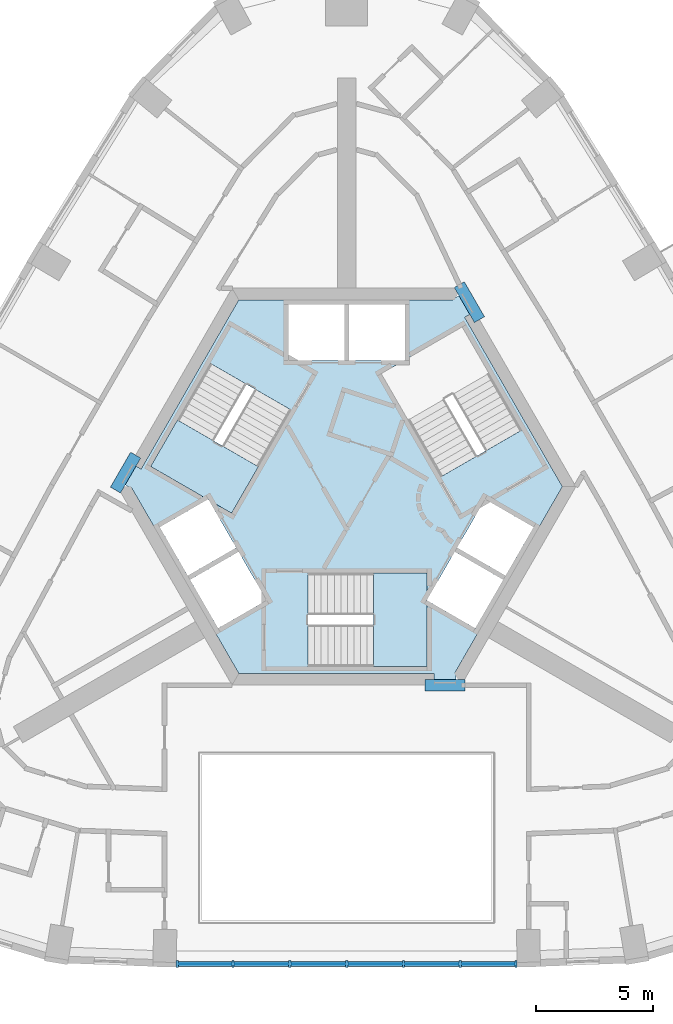
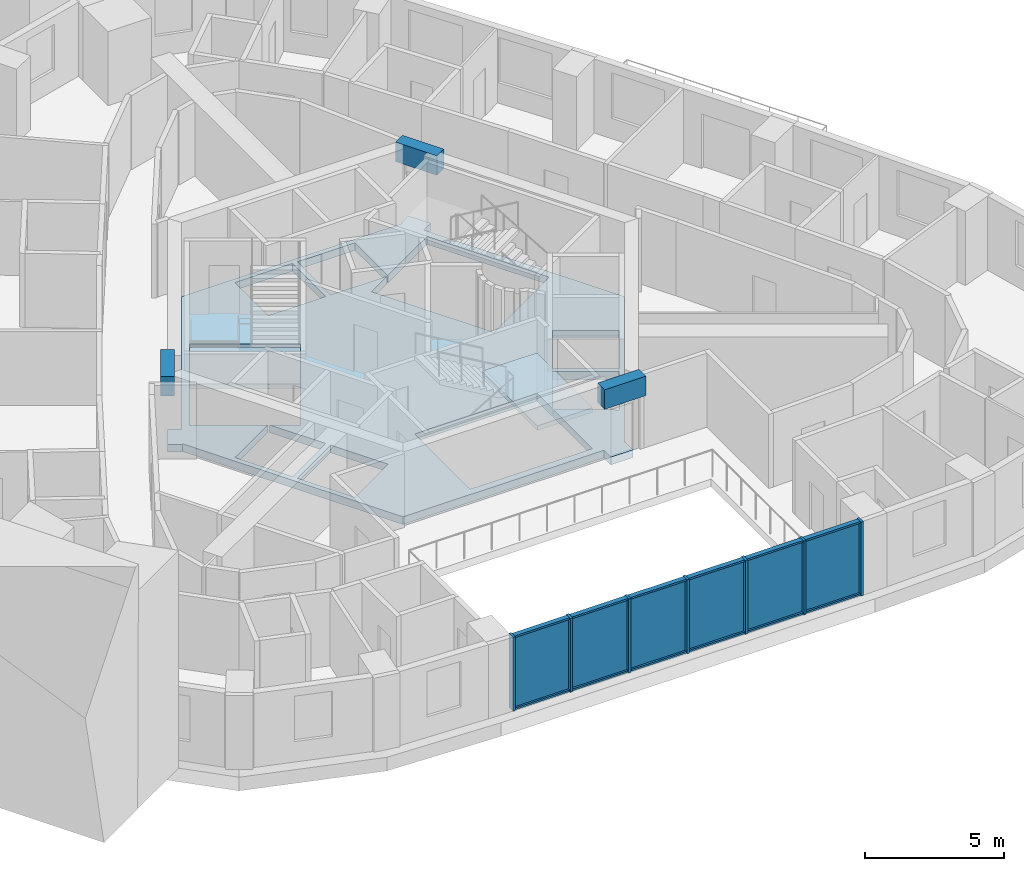
# One storey, part 2 of 11: 19 members, 6 plates, 3 beams, 3 slabs, 3 elements without a shape of their own.
"""IFC4 building model written with IfcOpenShell, lengths in metres."""

from ifc_helpers import new_model, si_unit, direction, frame, origin, origin_2d, place, context, subcontext, project, spatial, polyline, rectangle, outline, extrude, material, layer, layer_set, material_profile, profile_set, type_object, element, aggregate, save


model = new_model("IFC4")

# Units and contexts
model_context = context("Model", 3, precision=1e-05, world=origin(), true_north=direction((0.0, 1.0)))
body_context = subcontext(model_context, "Body", "Model", "MODEL_VIEW")
ifc_project = project(units=[si_unit("LENGTHUNIT", "METRE"), si_unit("AREAUNIT", "SQUARE_METRE"), si_unit("VOLUMEUNIT", "CUBIC_METRE"), si_unit("PLANEANGLEUNIT", "RADIAN"), si_unit("MASSUNIT", "GRAM", prefix="KILO")], contexts=[model_context])

# Site, building, storey
site_placement = place(None, origin())
site = spatial("IfcSite", under=ifc_project, at=site_placement, CompositionType="ELEMENT")
building_placement = place(site_placement, origin())
building = spatial("IfcBuilding", under=site, at=building_placement, Name="Entoto Arch Interchange Tower", CompositionType="ELEMENT")
storey_placement = place(building_placement, frame((0.0, 0.0, 297.199951171875)))
storey = spatial("IfcBuildingStorey", under=building, at=storey_placement, Name="L69", CompositionType="ELEMENT", Elevation=297.199951171875)

# Beams
ifc_material_1 = material(Name="Concrete C40/50", Category="concrete")
ifc_material_profile_1 = material_profile(ifc_material_1, rectangle(XDim=0.5, YDim=0.860107421875, at=origin_2d()))
ifc_profile_set_1 = profile_set([ifc_material_profile_1], Name="Concrete C40/50")
beam_type = type_object("IfcBeamType", Name="Coupling beam RC 500x860 C40/50", PredefinedType="BEAM", material=ifc_profile_set_1)
for number, where, z_axis, x_axis, name in (
    (1, (5.68603515625, 9.65087890625, 2.830078125), (-0.500105721196, 0.865964357019, 0.0), (-0.865964357019, -0.500105721196, 0.0), "Coupling beam NE L69"),
    (2, (-9.035888671875, 3.84912109375, 2.830078125), (-0.500105721196, -0.865964357019, 0.0), (0.865964357019, -0.500105721196, 0.0), "Coupling beam NW L69"),
):
    element("IfcBeam", number, at=place(storey_placement, frame(where, z_axis=z_axis, x_axis=x_axis)), inside=storey, type_object=beam_type, Name=name, PredefinedType="BEAM", context=body_context, shape_type="SweptSolid", body=[
        extrude(rectangle(XDim=0.5, YDim=0.860107421875, at=origin_2d()), origin(), (0.0, 0.0, 1.0), 1.727783203125),
    ])
beam_placement = place(storey_placement, frame((3.35009765625, -6.0, 2.830078125), z_axis=(1.0, 0.0, 0.0), x_axis=(0.0, 1.0, 0.0)))
element("IfcBeam", 3, at=beam_placement, inside=storey, type_object=beam_type, Name="Coupling beam S L69", PredefinedType="BEAM", context=body_context, shape_type="SweptSolid", body=[
    extrude(rectangle(XDim=0.5, YDim=0.860107421875, at=origin_2d()), origin(), (0.0, 0.0, 1.0), 1.725830078125),
])

# Curtain wall, members
ifc_material_2 = material(Name="Aluminium, anodised", Category="aluminium")
curtain_wall_type = type_object("IfcCurtainWallType", Name="CURTAIN WALL ATRIUM", PredefinedType="NOTDEFINED", material=ifc_material_2)
curtain_wall_placement = place(storey_placement, origin())
curtain_wall = element("IfcCurtainWall", 4, at=curtain_wall_placement, inside=storey, type_object=curtain_wall_type, Name="Atrium glazing S-02 L69", PredefinedType="NOTDEFINED")
ifc_material_profile_2 = material_profile(ifc_material_2, rectangle(XDim=0.300048828125, YDim=0.10009765625, at=origin_2d()))
ifc_profile_set_2 = profile_set([ifc_material_profile_2], Name="Aluminium, anodised")
member_type_1 = type_object("IfcMemberType", Name="MULLION ATRIUM 100x300", PredefinedType="MULLION", material=ifc_profile_set_2)
member_1_placement = place(storey_placement, frame((-7.248046875, -17.93896484375, 0.0), z_axis=(0.0, 0.0, 1.0), x_axis=(0.0, 1.0, 0.0)))
member_1 = element("IfcMember", 5, at=member_1_placement, type_object=member_type_1, Name="CWA mullion 1", PredefinedType="MULLION", context=body_context, shape_type="SweptSolid", body=[
    extrude(rectangle(XDim=0.300048828125, YDim=0.10009765625, at=origin_2d()), origin(), (0.0, 0.0, 1.0), 3.260009765625),
])
member_2_placement = place(storey_placement, frame((-4.865234375, -17.93896484375, 0.0), z_axis=(0.0, 0.0, 1.0), x_axis=(0.0, 1.0, 0.0)))
member_2 = element("IfcMember", 6, at=member_2_placement, type_object=member_type_1, Name="CWA mullion 2", PredefinedType="MULLION", context=body_context, shape_type="SweptSolid", body=[
    extrude(rectangle(XDim=0.300048828125, YDim=0.10009765625, at=origin_2d()), origin(), (0.0, 0.0, 1.0), 3.260009765625),
])
member_3_placement = place(storey_placement, frame((-2.4326171875, -17.93896484375, 0.0), z_axis=(0.0, 0.0, 1.0), x_axis=(0.0, 1.0, 0.0)))
member_3 = element("IfcMember", 7, at=member_3_placement, type_object=member_type_1, Name="CWA mullion 3", PredefinedType="MULLION", context=body_context, shape_type="SweptSolid", body=[
    extrude(rectangle(XDim=0.300048828125, YDim=0.10009765625, at=origin_2d()), origin(), (0.0, 0.0, 1.0), 3.260009765625),
])
member_4_placement = place(storey_placement, frame((0.0, -17.93896484375, 0.0), z_axis=(0.0, 0.0, 1.0), x_axis=(0.0, 1.0, 0.0)))
member_4 = element("IfcMember", 8, at=member_4_placement, type_object=member_type_1, Name="CWA mullion 4", PredefinedType="MULLION", context=body_context, shape_type="SweptSolid", body=[
    extrude(rectangle(XDim=0.300048828125, YDim=0.10009765625, at=origin_2d()), origin(), (0.0, 0.0, 1.0), 3.260009765625),
])
member_5_placement = place(storey_placement, frame((2.4326171875, -17.93896484375, 0.0), z_axis=(0.0, 0.0, 1.0), x_axis=(0.0, 1.0, 0.0)))
member_5 = element("IfcMember", 9, at=member_5_placement, type_object=member_type_1, Name="CWA mullion 5", PredefinedType="MULLION", context=body_context, shape_type="SweptSolid", body=[
    extrude(rectangle(XDim=0.300048828125, YDim=0.10009765625, at=origin_2d()), origin(), (0.0, 0.0, 1.0), 3.260009765625),
])
member_6_placement = place(storey_placement, frame((4.865234375, -17.93896484375, 0.0), z_axis=(0.0, 0.0, 1.0), x_axis=(0.0, 1.0, 0.0)))
member_6 = element("IfcMember", 10, at=member_6_placement, type_object=member_type_1, Name="CWA mullion 6", PredefinedType="MULLION", context=body_context, shape_type="SweptSolid", body=[
    extrude(rectangle(XDim=0.300048828125, YDim=0.10009765625, at=origin_2d()), origin(), (0.0, 0.0, 1.0), 3.260009765625),
])
member_7_placement = place(storey_placement, frame((7.248046875, -17.93896484375, 0.0), z_axis=(0.0, 0.0, 1.0), x_axis=(0.0, 1.0, 0.0)))
member_7 = element("IfcMember", 11, at=member_7_placement, type_object=member_type_1, Name="CWA mullion 7", PredefinedType="MULLION", context=body_context, shape_type="SweptSolid", body=[
    extrude(rectangle(XDim=0.300048828125, YDim=0.10009765625, at=origin_2d()), origin(), (0.0, 0.0, 1.0), 3.260009765625),
])
ifc_material_profile_3 = material_profile(ifc_material_2, rectangle(XDim=0.199951171875, YDim=0.080078125, at=origin_2d()))
ifc_profile_set_3 = profile_set([ifc_material_profile_3], Name="Aluminium, anodised")
member_type_2 = type_object("IfcMemberType", Name="TRANSOM ATRIUM 80x200", PredefinedType="USERDEFINED", material=ifc_profile_set_3)
member_8_placement = place(storey_placement, frame((-7.197998046875, -17.93896484375, 0.0400390625), z_axis=(1.0, 0.0, 0.0), x_axis=(0.0, 1.0, 0.0)))
member_8 = element("IfcMember", 12, at=member_8_placement, type_object=member_type_2, Name="CWA transom 1.1", ObjectType="TRANSOM", PredefinedType="USERDEFINED", context=body_context, shape_type="SweptSolid", body=[
    extrude(rectangle(XDim=0.199951171875, YDim=0.080078125, at=origin_2d()), origin(), (0.0, 0.0, 1.0), 2.28271484375),
])
member_9_placement = place(storey_placement, frame((-7.197998046875, -17.93896484375, 3.219970703125), z_axis=(1.0, 0.0, 0.0), x_axis=(0.0, 1.0, 0.0)))
member_9 = element("IfcMember", 13, at=member_9_placement, type_object=member_type_2, Name="CWA transom 1.2", ObjectType="TRANSOM", PredefinedType="USERDEFINED", context=body_context, shape_type="SweptSolid", body=[
    extrude(rectangle(XDim=0.199951171875, YDim=0.080078125, at=origin_2d()), origin(), (0.0, 0.0, 1.0), 2.28271484375),
])
member_10_placement = place(storey_placement, frame((-4.8154296875, -17.93896484375, 0.0400390625), z_axis=(1.0, 0.0, 0.0), x_axis=(0.0, 1.0, 0.0)))
member_10 = element("IfcMember", 14, at=member_10_placement, type_object=member_type_2, Name="CWA transom 2.1", ObjectType="TRANSOM", PredefinedType="USERDEFINED", context=body_context, shape_type="SweptSolid", body=[
    extrude(rectangle(XDim=0.199951171875, YDim=0.080078125, at=origin_2d()), origin(), (0.0, 0.0, 1.0), 2.332763671875),
])
member_11_placement = place(storey_placement, frame((-4.8154296875, -17.93896484375, 3.219970703125), z_axis=(1.0, 0.0, 0.0), x_axis=(0.0, 1.0, 0.0)))
member_11 = element("IfcMember", 15, at=member_11_placement, type_object=member_type_2, Name="CWA transom 2.2", ObjectType="TRANSOM", PredefinedType="USERDEFINED", context=body_context, shape_type="SweptSolid", body=[
    extrude(rectangle(XDim=0.199951171875, YDim=0.080078125, at=origin_2d()), origin(), (0.0, 0.0, 1.0), 2.332763671875),
])
member_12_placement = place(storey_placement, frame((-2.382568359375, -17.93896484375, 0.0400390625), z_axis=(1.0, 0.0, 0.0), x_axis=(0.0, 1.0, 0.0)))
member_12 = element("IfcMember", 16, at=member_12_placement, type_object=member_type_2, Name="CWA transom 3.1", ObjectType="TRANSOM", PredefinedType="USERDEFINED", context=body_context, shape_type="SweptSolid", body=[
    extrude(rectangle(XDim=0.199951171875, YDim=0.080078125, at=origin_2d()), origin(), (0.0, 0.0, 1.0), 2.33251953125),
])
member_13_placement = place(storey_placement, frame((-2.382568359375, -17.93896484375, 3.219970703125), z_axis=(1.0, 0.0, 0.0), x_axis=(0.0, 1.0, 0.0)))
member_13 = element("IfcMember", 17, at=member_13_placement, type_object=member_type_2, Name="CWA transom 3.2", ObjectType="TRANSOM", PredefinedType="USERDEFINED", context=body_context, shape_type="SweptSolid", body=[
    extrude(rectangle(XDim=0.199951171875, YDim=0.080078125, at=origin_2d()), origin(), (0.0, 0.0, 1.0), 2.33251953125),
])
member_14_placement = place(storey_placement, frame((0.050048828125, -17.93896484375, 0.0400390625), z_axis=(1.0, 0.0, 0.0), x_axis=(0.0, 1.0, 0.0)))
member_14 = element("IfcMember", 18, at=member_14_placement, type_object=member_type_2, Name="CWA transom 4.1", ObjectType="TRANSOM", PredefinedType="USERDEFINED", context=body_context, shape_type="SweptSolid", body=[
    extrude(rectangle(XDim=0.199951171875, YDim=0.080078125, at=origin_2d()), origin(), (0.0, 0.0, 1.0), 2.33251953125),
])
member_15_placement = place(storey_placement, frame((0.050048828125, -17.93896484375, 3.219970703125), z_axis=(1.0, 0.0, 0.0), x_axis=(0.0, 1.0, 0.0)))
member_15 = element("IfcMember", 19, at=member_15_placement, type_object=member_type_2, Name="CWA transom 4.2", ObjectType="TRANSOM", PredefinedType="USERDEFINED", context=body_context, shape_type="SweptSolid", body=[
    extrude(rectangle(XDim=0.199951171875, YDim=0.080078125, at=origin_2d()), origin(), (0.0, 0.0, 1.0), 2.33251953125),
])
member_16_placement = place(storey_placement, frame((2.482666015625, -17.93896484375, 0.0400390625), z_axis=(1.0, 0.0, 0.0), x_axis=(0.0, 1.0, 0.0)))
member_16 = element("IfcMember", 20, at=member_16_placement, type_object=member_type_2, Name="CWA transom 5.1", ObjectType="TRANSOM", PredefinedType="USERDEFINED", context=body_context, shape_type="SweptSolid", body=[
    extrude(rectangle(XDim=0.199951171875, YDim=0.080078125, at=origin_2d()), origin(), (0.0, 0.0, 1.0), 2.332763671875),
])
member_17_placement = place(storey_placement, frame((2.482666015625, -17.93896484375, 3.219970703125), z_axis=(1.0, 0.0, 0.0), x_axis=(0.0, 1.0, 0.0)))
member_17 = element("IfcMember", 21, at=member_17_placement, type_object=member_type_2, Name="CWA transom 5.2", ObjectType="TRANSOM", PredefinedType="USERDEFINED", context=body_context, shape_type="SweptSolid", body=[
    extrude(rectangle(XDim=0.199951171875, YDim=0.080078125, at=origin_2d()), origin(), (0.0, 0.0, 1.0), 2.332763671875),
])
member_18_placement = place(storey_placement, frame((4.915283203125, -17.93896484375, 0.0400390625), z_axis=(1.0, 0.0, 0.0), x_axis=(0.0, 1.0, 0.0)))
member_18 = element("IfcMember", 22, at=member_18_placement, type_object=member_type_2, Name="CWA transom 6.1", ObjectType="TRANSOM", PredefinedType="USERDEFINED", context=body_context, shape_type="SweptSolid", body=[
    extrude(rectangle(XDim=0.199951171875, YDim=0.080078125, at=origin_2d()), origin(), (0.0, 0.0, 1.0), 2.28271484375),
])
member_19_placement = place(storey_placement, frame((4.915283203125, -17.93896484375, 3.219970703125), z_axis=(1.0, 0.0, 0.0), x_axis=(0.0, 1.0, 0.0)))
member_19 = element("IfcMember", 23, at=member_19_placement, type_object=member_type_2, Name="CWA transom 6.2", ObjectType="TRANSOM", PredefinedType="USERDEFINED", context=body_context, shape_type="SweptSolid", body=[
    extrude(rectangle(XDim=0.199951171875, YDim=0.080078125, at=origin_2d()), origin(), (0.0, 0.0, 1.0), 2.28271484375),
])

# Slab
ifc_layer_1 = layer(ifc_material_1, 0.340087890625)
ifc_layer_set_1 = layer_set([ifc_layer_1], Name="Concrete C40/50")
slab_type_1 = type_object("IfcSlabType", Name="Core floor slab 340 C40/50", PredefinedType="FLOOR", material=ifc_layer_set_1)
slab_1_placement = place(storey_placement, frame((0.0, 0.0, -0.33984375)))
element("IfcSlab", 24, at=slab_1_placement, inside=storey, type_object=slab_type_1, Name="Core floor slab L69", PredefinedType="FLOOR", context=body_context, shape_type="SweptSolid", body=[
    extrude(outline(polyline([(-9.208984375, 2.449951171875), (-9.222900390625, 2.425048828125), (-9.699951171875, 2.699951171875), (-9.236083984375, 3.501953125), (-8.802978515625, 3.2529296875), (-4.618896484375, 10.5), (4.56103515625, 10.5), (4.5458984375, 10.52490234375), (5.02197265625, 10.800048828125), (5.486083984375, 9.998046875), (5.052978515625, 9.748046875), (9.238037109375, 2.5), (4.64794921875, -5.449951171875), (4.676025390625, -5.449951171875), (4.676025390625, -6.0), (3.75, -6.0), (3.75, -5.5), (-4.618896484375, -5.5), (-9.208984375, 2.449951171875)]), holes=[polyline([(-1.64990234375, -5.199951171875), (3.449951171875, -5.199951171875), (3.449951171875, -2.3779296875), (5.5048828125, -3.56494140625), (6.705078125, -1.487060546875), (4.626953125, -0.287109375), (3.449951171875, -2.324951171875), (3.449951171875, -1.199951171875), (-1.64990234375, -1.199951171875), (-1.64990234375, -5.199951171875)]), polyline([(-4.626953125, -0.287109375), (-6.705078125, -1.487060546875), (-5.5048828125, -3.56494140625), (-3.427001953125, -2.364990234375), (-4.626953125, -0.287109375)]), polyline([(-5.904052734375, 1.925048828125), (-4.928955078125, 1.362060546875), (-2.37890625, 5.779052734375), (-5.843017578125, 7.779052734375), (-8.39306640625, 3.362060546875), (-5.949951171875, 1.951904296875), (-8.0048828125, 0.764892578125), (-6.804931640625, -1.31298828125), (-4.72705078125, -0.113037109375), (-5.904052734375, 1.925048828125)]), polyline([(4.72705078125, -0.113037109375), (6.804931640625, -1.31298828125), (8.0048828125, 0.764892578125), (5.927001953125, 1.965087890625), (4.72705078125, -0.113037109375)]), polyline([(2.5, 7.927001953125), (2.5, 10.300048828125), (0.10009765625, 10.300048828125), (0.10009765625, 7.89990234375), (2.452880859375, 7.89990234375), (1.47900390625, 7.337890625), (4.029052734375, 2.9208984375), (7.492919921875, 4.9208984375), (4.943115234375, 9.337890625), (2.5, 7.927001953125)]), polyline([(-2.5, 7.89990234375), (-0.10009765625, 7.89990234375), (-0.10009765625, 10.300048828125), (-2.5, 10.300048828125), (-2.5, 7.89990234375)])]), origin(), (0.0, 0.0, 1.0), 0.33984375),
])

# Stair, slab
stair_type = type_object("IfcStairType", Name="EXIT STAIR RC 1800", PredefinedType="HALF_TURN_STAIR", material=ifc_material_1)
stair_1_placement = place(storey_placement, origin())
stair_1 = element("IfcStair", 25, at=stair_1_placement, inside=storey, type_object=stair_type, Name="L69 Exit stair S", PredefinedType="HALF_TURN_STAIR")
ifc_layer_2 = layer(ifc_material_1, 0.199951171875)
ifc_layer_set_2 = layer_set([ifc_layer_2], Name="Concrete C40/50")
slab_type_2 = type_object("IfcSlabType", Name="EXIT STAIR LANDING RC 200", PredefinedType="LANDING", material=ifc_layer_set_2)
slab_2_placement = place(storey_placement, frame((0.0, 0.0, 1.60009765625)))
slab_2 = element("IfcSlab", 26, at=slab_2_placement, type_object=slab_type_2, Name="ST-S landing 1", PredefinedType="LANDING", context=body_context, shape_type="SweptSolid", body=[
    extrude(outline(polyline([(1.14990234375, -5.199951171875), (3.449951171875, -5.199951171875), (3.449951171875, -1.199951171875), (1.14990234375, -1.199951171875), (1.14990234375, -5.199951171875)])), origin(), (0.0, 0.0, 1.0), 0.199951171875),
])
aggregate(stair_1, [slab_2])

stair_2_placement = place(storey_placement, origin())
stair_2 = element("IfcStair", 27, at=stair_2_placement, inside=storey, type_object=stair_type, Name="L69 Exit stair NW", PredefinedType="HALF_TURN_STAIR")
slab_3_placement = place(storey_placement, frame((0.0, 0.0, 1.60009765625)))
slab_3 = element("IfcSlab", 28, at=slab_3_placement, type_object=slab_type_2, Name="ST-NW landing 1", PredefinedType="LANDING", context=body_context, shape_type="SweptSolid", body=[
    extrude(outline(polyline([(-7.243408203125, 5.35400390625), (-8.393310546875, 3.3623046875), (-4.92919921875, 1.3623046875), (-3.779296875, 3.35400390625), (-7.243408203125, 5.35400390625)])), origin(), (0.0, 0.0, 1.0), 0.199951171875),
])
aggregate(stair_2, [slab_3])

# Plate
ifc_material_3 = material(Name="Clear glass, low-e double glazed", Category="glass")
ifc_layer_3 = layer(ifc_material_3, 0.031982421875)
ifc_layer_set_3 = layer_set([ifc_layer_3], Name="Clear glass, low-e double glazed")
plate_type = type_object("IfcPlateType", Name="GLAZING PANEL ATRIUM 32", PredefinedType="CURTAIN_PANEL", material=ifc_layer_set_3)
plate_1_placement = place(storey_placement, frame((-6.056640625, -17.93896484375, 0.080078125), z_axis=(0.0, 0.0, 1.0), x_axis=(1.0, 0.0, 0.0)))
plate_1 = element("IfcPlate", 29, at=plate_1_placement, type_object=plate_type, Name="CWA panel 1.1", PredefinedType="CURTAIN_PANEL", context=body_context, shape_type="SweptSolid", body=[
    extrude(rectangle(XDim=2.28271484375, YDim=0.031982421875, at=origin_2d()), origin(), (0.0, 0.0, 1.0), 3.10009765625),
])

plate_2_placement = place(storey_placement, frame((-3.64892578125, -17.93896484375, 0.080078125), z_axis=(0.0, 0.0, 1.0), x_axis=(1.0, 0.0, 0.0)))
plate_2 = element("IfcPlate", 30, at=plate_2_placement, type_object=plate_type, Name="CWA panel 2.1", PredefinedType="CURTAIN_PANEL", context=body_context, shape_type="SweptSolid", body=[
    extrude(rectangle(XDim=2.332763671875, YDim=0.031982421875, at=origin_2d()), origin(), (0.0, 0.0, 1.0), 3.10009765625),
])

plate_3_placement = place(storey_placement, frame((-1.21630859375, -17.93896484375, 0.080078125), z_axis=(0.0, 0.0, 1.0), x_axis=(1.0, 0.0, 0.0)))
plate_3 = element("IfcPlate", 31, at=plate_3_placement, type_object=plate_type, Name="CWA panel 3.1", PredefinedType="CURTAIN_PANEL", context=body_context, shape_type="SweptSolid", body=[
    extrude(rectangle(XDim=2.332763671875, YDim=0.031982421875, at=origin_2d()), origin(), (0.0, 0.0, 1.0), 3.10009765625),
])

plate_4_placement = place(storey_placement, frame((1.21630859375, -17.93896484375, 0.080078125), z_axis=(0.0, 0.0, 1.0), x_axis=(1.0, 0.0, 0.0)))
plate_4 = element("IfcPlate", 32, at=plate_4_placement, type_object=plate_type, Name="CWA panel 4.1", PredefinedType="CURTAIN_PANEL", context=body_context, shape_type="SweptSolid", body=[
    extrude(rectangle(XDim=2.332763671875, YDim=0.031982421875, at=origin_2d()), origin(), (0.0, 0.0, 1.0), 3.10009765625),
])

plate_5_placement = place(storey_placement, frame((3.64892578125, -17.93896484375, 0.080078125), z_axis=(0.0, 0.0, 1.0), x_axis=(1.0, 0.0, 0.0)))
plate_5 = element("IfcPlate", 33, at=plate_5_placement, type_object=plate_type, Name="CWA panel 5.1", PredefinedType="CURTAIN_PANEL", context=body_context, shape_type="SweptSolid", body=[
    extrude(rectangle(XDim=2.332763671875, YDim=0.031982421875, at=origin_2d()), origin(), (0.0, 0.0, 1.0), 3.10009765625),
])

plate_6_placement = place(storey_placement, frame((6.056640625, -17.93896484375, 0.080078125), z_axis=(0.0, 0.0, 1.0), x_axis=(1.0, 0.0, 0.0)))
plate_6 = element("IfcPlate", 34, at=plate_6_placement, type_object=plate_type, Name="CWA panel 6.1", PredefinedType="CURTAIN_PANEL", context=body_context, shape_type="SweptSolid", body=[
    extrude(rectangle(XDim=2.28271484375, YDim=0.031982421875, at=origin_2d()), origin(), (0.0, 0.0, 1.0), 3.10009765625),
])

aggregate(curtain_wall, [member_1, member_2, member_3, member_4, member_5, member_6, member_7, member_8, member_9, plate_1, member_10, member_11, plate_2, member_12, member_13, plate_3, member_14, member_15, plate_4, member_16, member_17, plate_5, member_18, member_19, plate_6])

save(model, "model.ifc")
